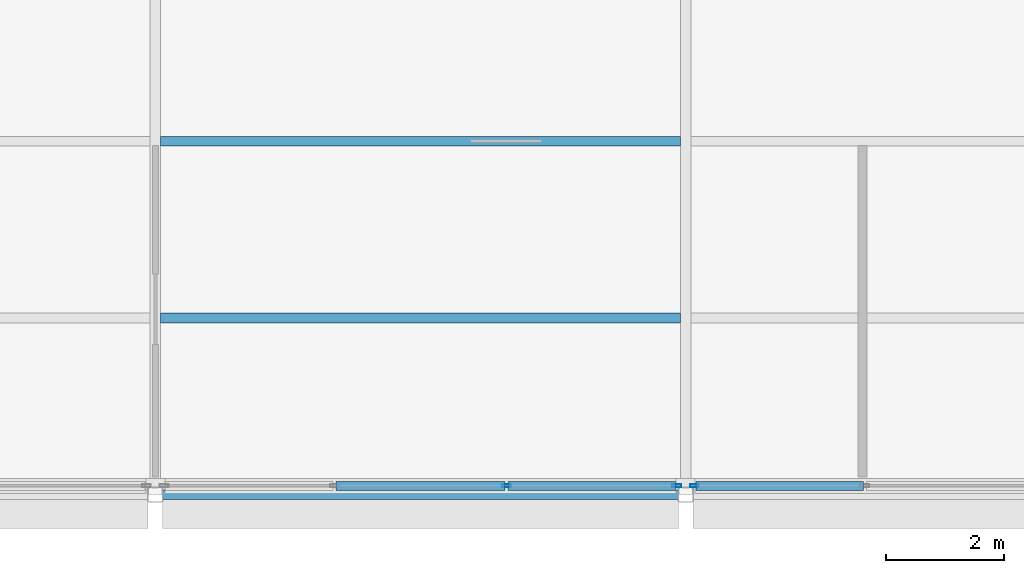
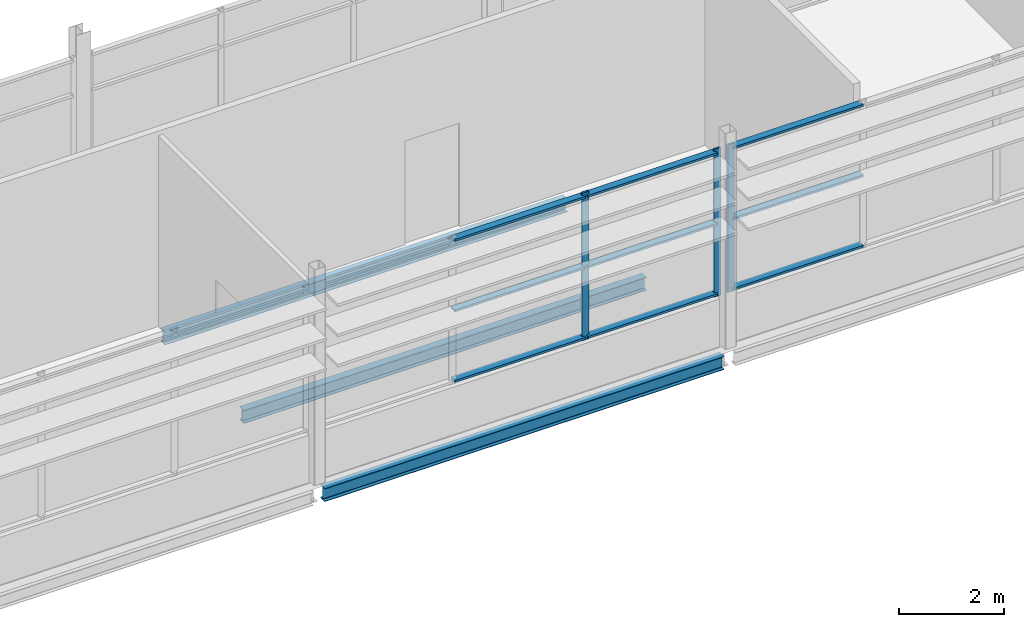
# One storey, part 35 of 94: 12 members, 3 beams, 2 elements without a shape of their own.
"""IFC4 building model written with IfcOpenShell, lengths in metres."""

from ifc_helpers import new_model, si_unit, direction, frame, origin, origin_2d, place, context, subcontext, project, spatial, hollow_rectangle, i_section, extrude, material, layer, layer_set, material_profile, profile_set, type_object, element, aggregate, save


model = new_model("IFC4")

# Units and contexts
model_context = context("Model", 3, precision=1e-05, world=origin(), true_north=direction((0.0, 1.0)))
body_context = subcontext(model_context, "Body", "Model", "MODEL_VIEW")
ifc_project = project(units=[si_unit("LENGTHUNIT", "METRE"), si_unit("AREAUNIT", "SQUARE_METRE"), si_unit("VOLUMEUNIT", "CUBIC_METRE"), si_unit("PLANEANGLEUNIT", "RADIAN"), si_unit("MASSUNIT", "GRAM", prefix="KILO")], contexts=[model_context])

# Site, building, storey
site_placement = place(None, origin())
site = spatial("IfcSite", under=ifc_project, at=site_placement, CompositionType="ELEMENT")
building_placement = place(site_placement, origin())
building = spatial("IfcBuilding", under=site, at=building_placement, Name="Shorebreak Coast Museum", CompositionType="ELEMENT")
storey_placement = place(building_placement, frame((0.0, 0.0, 31.0)))
storey = spatial("IfcBuildingStorey", under=building, at=storey_placement, Name="L05", CompositionType="ELEMENT", Elevation=31.0)

# Beams
ifc_material_1 = material(Name="Steel Grade 300", Category="steel")
ifc_material_profile_1 = material_profile(ifc_material_1, i_section(OverallWidth=0.166015625, OverallDepth=0.30712890625, WebThickness=0.006591796875, FlangeThickness=0.01171875, FilletRadius=0.011474609375, at=origin_2d()), Name="310UB46.2")
ifc_profile_set_1 = profile_set([ifc_material_profile_1], Name="Steel Grade 300")
beam_type_1 = type_object("IfcBeamType", Name="Floor girder east-west 310UB46.2", PredefinedType="BEAM", material=ifc_profile_set_1)
beam_placement = place(storey_placement, frame((90.125, 54.0, -0.32861328125), z_axis=(1.0, 0.0, 0.0), x_axis=(0.0, 1.0, 0.0)))
element("IfcBeam", 1, at=beam_placement, inside=storey, type_object=beam_type_1, Name="Floor girder east-west L05 11G", PredefinedType="BEAM", context=body_context, shape_type="SweptSolid", body=[
    extrude(i_section(OverallWidth=0.166015625, OverallDepth=0.30712890625, WebThickness=0.006591796875, FlangeThickness=0.01171875, FilletRadius=0.011474609375, at=origin_2d()), origin(), (0.0, 0.0, 1.0), 8.75),
])
ifc_material_2 = material(Name="Steel Grade 300", Category="steel")
ifc_material_profile_2 = material_profile(ifc_material_2, i_section(OverallWidth=0.1650390625, OverallDepth=0.303955078125, WebThickness=0.006103515625, FlangeThickness=0.01025390625, FilletRadius=0.011474609375, at=origin_2d()), Name="310UB40.4")
ifc_profile_set_2 = profile_set([ifc_material_profile_2], Name="Steel Grade 300")
beam_type_2 = type_object("IfcBeamType", Name="Floor joist 310UB40.4", PredefinedType="JOIST", material=ifc_profile_set_2)
for number, where, z_axis, x_axis, name in (
    (2, (90.089111328125, 57.0, -0.326904296875), (1.0, 0.0, 0.0), (0.0, 1.0, 0.0), "Floor joist L05 bay 11G at 3000 mm"),
    (3, (90.089111328125, 60.0, -0.326904296875), (1.0, 0.0, 0.0), (0.0, 1.0, 0.0), "Floor joist L05 bay 11G at 6000 mm"),
):
    element("IfcBeam", number, at=place(storey_placement, frame(where, z_axis=z_axis, x_axis=x_axis)), inside=storey, type_object=beam_type_2, Name=name, PredefinedType="JOIST", context=body_context, shape_type="SweptSolid", body=[
        extrude(i_section(OverallWidth=0.1650390625, OverallDepth=0.303955078125, WebThickness=0.006103515625, FlangeThickness=0.01025390625, FilletRadius=0.011474609375, at=origin_2d()), origin(), (0.0, 0.0, 1.0), 8.82177734375),
    ])

# Curtain wall, members
ifc_material_3 = material(Name="Aluminium", Category="aluminium")
ifc_layer = layer(ifc_material_3, 0.14990234375)
ifc_layer_set = layer_set([ifc_layer], Name="Aluminium")
curtain_wall_type = type_object("IfcCurtainWallType", Name="Storefront curtain wall", PredefinedType="NOTDEFINED", material=ifc_layer_set)
curtain_wall_1_placement = place(storey_placement, origin())
curtain_wall_1 = element("IfcCurtainWall", 4, at=curtain_wall_1_placement, inside=storey, type_object=curtain_wall_type, Name="Atrium Hall glazing L05 S 16", PredefinedType="NOTDEFINED")
ifc_material_4 = material(Name="Aluminium", Category="aluminium")
ifc_material_profile_3 = material_profile(ifc_material_4, hollow_rectangle(XDim=0.050048828125, YDim=0.14990234375, WallThickness=0.00390625, at=origin_2d()), Name="AL 150x50 RHS")
ifc_profile_set_3 = profile_set([ifc_material_profile_3], Name="Aluminium")
member_type_1 = type_object("IfcMemberType", Name="Storefront mullion 50 x 150", PredefinedType="MULLION", material=ifc_profile_set_3)
member_1_placement = place(storey_placement, frame((95.958251953125, 54.14990234375, 1.10009765625), z_axis=(0.0, 0.0, 1.0), x_axis=(0.0, 1.0, 0.0)))
member_1 = element("IfcMember", 5, at=member_1_placement, type_object=member_type_1, Name="CW5 mullion 3", PredefinedType="MULLION", context=body_context, shape_type="SweptSolid", body=[
    extrude(hollow_rectangle(XDim=0.050048828125, YDim=0.14990234375, WallThickness=0.00390625, at=origin_2d()), origin(), (0.0, 0.0, 1.0), 3.417724609375),
])
member_2_placement = place(storey_placement, frame((98.85009765625, 54.14990234375, 1.10009765625), z_axis=(0.0, 0.0, 1.0), x_axis=(0.0, 1.0, 0.0)))
member_2 = element("IfcMember", 6, at=member_2_placement, type_object=member_type_1, Name="CW5 mullion 4", PredefinedType="MULLION", context=body_context, shape_type="SweptSolid", body=[
    extrude(hollow_rectangle(XDim=0.050048828125, YDim=0.14990234375, WallThickness=0.00390625, at=origin_2d()), origin(), (0.0, 0.0, 1.0), 3.417724609375),
])

# Curtain wall, member
curtain_wall_2_placement = place(storey_placement, origin())
curtain_wall_2 = element("IfcCurtainWall", 7, at=curtain_wall_2_placement, inside=storey, type_object=curtain_wall_type, Name="Atrium Hall glazing L05 S 17", PredefinedType="NOTDEFINED")
member_3_placement = place(storey_placement, frame((99.14990234375, 54.14990234375, 1.10009765625), z_axis=(0.0, 0.0, 1.0), x_axis=(0.0, 1.0, 0.0)))
member_3 = element("IfcMember", 8, at=member_3_placement, type_object=member_type_1, Name="CW5 mullion 1", PredefinedType="MULLION", context=body_context, shape_type="SweptSolid", body=[
    extrude(hollow_rectangle(XDim=0.050048828125, YDim=0.14990234375, WallThickness=0.00390625, at=origin_2d()), origin(), (0.0, 0.0, 1.0), 3.417724609375),
])

# Member
ifc_material_5 = material(Name="Aluminium", Category="aluminium")
ifc_material_profile_4 = material_profile(ifc_material_5, hollow_rectangle(XDim=0.14990234375, YDim=0.050048828125, WallThickness=0.00390625, at=origin_2d()), Name="AL 50x150 RHS")
ifc_profile_set_4 = profile_set([ifc_material_profile_4], Name="Aluminium")
member_type_2 = type_object("IfcMemberType", Name="Storefront transom 150 x 50", PredefinedType="USERDEFINED", material=ifc_profile_set_4)
member_4_placement = place(storey_placement, frame((93.066650390625, 54.14990234375, 1.175048828125), z_axis=(1.0, 0.0, 0.0), x_axis=(0.0, 1.0, 0.0)))
member_4 = element("IfcMember", 9, at=member_4_placement, type_object=member_type_2, Name="CW5 transom 2.1", ObjectType="TRANSOM", PredefinedType="USERDEFINED", context=body_context, shape_type="SweptSolid", body=[
    extrude(hollow_rectangle(XDim=0.14990234375, YDim=0.050048828125, WallThickness=0.00390625, at=origin_2d()), origin(), (0.0, 0.0, 1.0), 2.86669921875),
])

member_5_placement = place(storey_placement, frame((93.066650390625, 54.14990234375, 2.808837890625), z_axis=(1.0, 0.0, 0.0), x_axis=(0.0, 1.0, 0.0)))
member_5 = element("IfcMember", 10, at=member_5_placement, type_object=member_type_2, Name="CW5 transom 2.2", ObjectType="TRANSOM", PredefinedType="USERDEFINED", context=body_context, shape_type="SweptSolid", body=[
    extrude(hollow_rectangle(XDim=0.14990234375, YDim=0.050048828125, WallThickness=0.00390625, at=origin_2d()), origin(), (0.0, 0.0, 1.0), 2.86669921875),
])

member_6_placement = place(storey_placement, frame((93.066650390625, 54.14990234375, 4.44287109375), z_axis=(1.0, 0.0, 0.0), x_axis=(0.0, 1.0, 0.0)))
member_6 = element("IfcMember", 11, at=member_6_placement, type_object=member_type_2, Name="CW5 transom 2.3", ObjectType="TRANSOM", PredefinedType="USERDEFINED", context=body_context, shape_type="SweptSolid", body=[
    extrude(hollow_rectangle(XDim=0.14990234375, YDim=0.050048828125, WallThickness=0.00390625, at=origin_2d()), origin(), (0.0, 0.0, 1.0), 2.86669921875),
])

member_7_placement = place(storey_placement, frame((95.9833984375, 54.14990234375, 1.175048828125), z_axis=(1.0, 0.0, 0.0), x_axis=(0.0, 1.0, 0.0)))
member_7 = element("IfcMember", 12, at=member_7_placement, type_object=member_type_2, Name="CW5 transom 3.1", ObjectType="TRANSOM", PredefinedType="USERDEFINED", context=body_context, shape_type="SweptSolid", body=[
    extrude(hollow_rectangle(XDim=0.14990234375, YDim=0.050048828125, WallThickness=0.00390625, at=origin_2d()), origin(), (0.0, 0.0, 1.0), 2.841552734375),
])

member_8_placement = place(storey_placement, frame((95.9833984375, 54.14990234375, 2.808837890625), z_axis=(1.0, 0.0, 0.0), x_axis=(0.0, 1.0, 0.0)))
member_8 = element("IfcMember", 13, at=member_8_placement, type_object=member_type_2, Name="CW5 transom 3.2", ObjectType="TRANSOM", PredefinedType="USERDEFINED", context=body_context, shape_type="SweptSolid", body=[
    extrude(hollow_rectangle(XDim=0.14990234375, YDim=0.050048828125, WallThickness=0.00390625, at=origin_2d()), origin(), (0.0, 0.0, 1.0), 2.841552734375),
])

member_9_placement = place(storey_placement, frame((95.9833984375, 54.14990234375, 4.44287109375), z_axis=(1.0, 0.0, 0.0), x_axis=(0.0, 1.0, 0.0)))
member_9 = element("IfcMember", 14, at=member_9_placement, type_object=member_type_2, Name="CW5 transom 3.3", ObjectType="TRANSOM", PredefinedType="USERDEFINED", context=body_context, shape_type="SweptSolid", body=[
    extrude(hollow_rectangle(XDim=0.14990234375, YDim=0.050048828125, WallThickness=0.00390625, at=origin_2d()), origin(), (0.0, 0.0, 1.0), 2.841552734375),
])

aggregate(curtain_wall_1, [member_1, member_2, member_4, member_5, member_6, member_7, member_8, member_9])

member_10_placement = place(storey_placement, frame((99.175048828125, 54.14990234375, 1.175048828125), z_axis=(1.0, 0.0, 0.0), x_axis=(0.0, 1.0, 0.0)))
member_10 = element("IfcMember", 15, at=member_10_placement, type_object=member_type_2, Name="CW5 transom 1.1", ObjectType="TRANSOM", PredefinedType="USERDEFINED", context=body_context, shape_type="SweptSolid", body=[
    extrude(hollow_rectangle(XDim=0.14990234375, YDim=0.050048828125, WallThickness=0.00390625, at=origin_2d()), origin(), (0.0, 0.0, 1.0), 2.841552734375),
])

member_11_placement = place(storey_placement, frame((99.175048828125, 54.14990234375, 2.808837890625), z_axis=(1.0, 0.0, 0.0), x_axis=(0.0, 1.0, 0.0)))
member_11 = element("IfcMember", 16, at=member_11_placement, type_object=member_type_2, Name="CW5 transom 1.2", ObjectType="TRANSOM", PredefinedType="USERDEFINED", context=body_context, shape_type="SweptSolid", body=[
    extrude(hollow_rectangle(XDim=0.14990234375, YDim=0.050048828125, WallThickness=0.00390625, at=origin_2d()), origin(), (0.0, 0.0, 1.0), 2.841552734375),
])

member_12_placement = place(storey_placement, frame((99.175048828125, 54.14990234375, 4.44287109375), z_axis=(1.0, 0.0, 0.0), x_axis=(0.0, 1.0, 0.0)))
member_12 = element("IfcMember", 17, at=member_12_placement, type_object=member_type_2, Name="CW5 transom 1.3", ObjectType="TRANSOM", PredefinedType="USERDEFINED", context=body_context, shape_type="SweptSolid", body=[
    extrude(hollow_rectangle(XDim=0.14990234375, YDim=0.050048828125, WallThickness=0.00390625, at=origin_2d()), origin(), (0.0, 0.0, 1.0), 2.841552734375),
])

aggregate(curtain_wall_2, [member_3, member_10, member_11, member_12])

save(model, "model.ifc")
